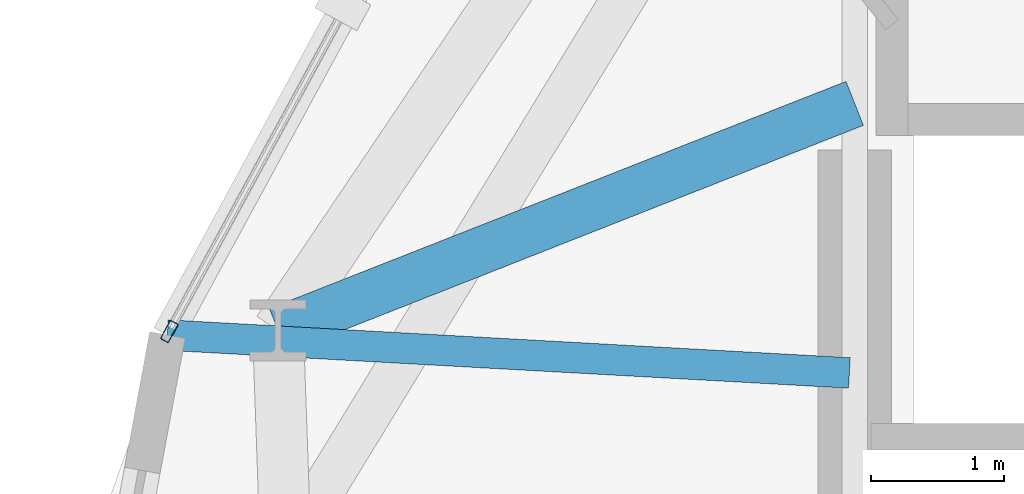
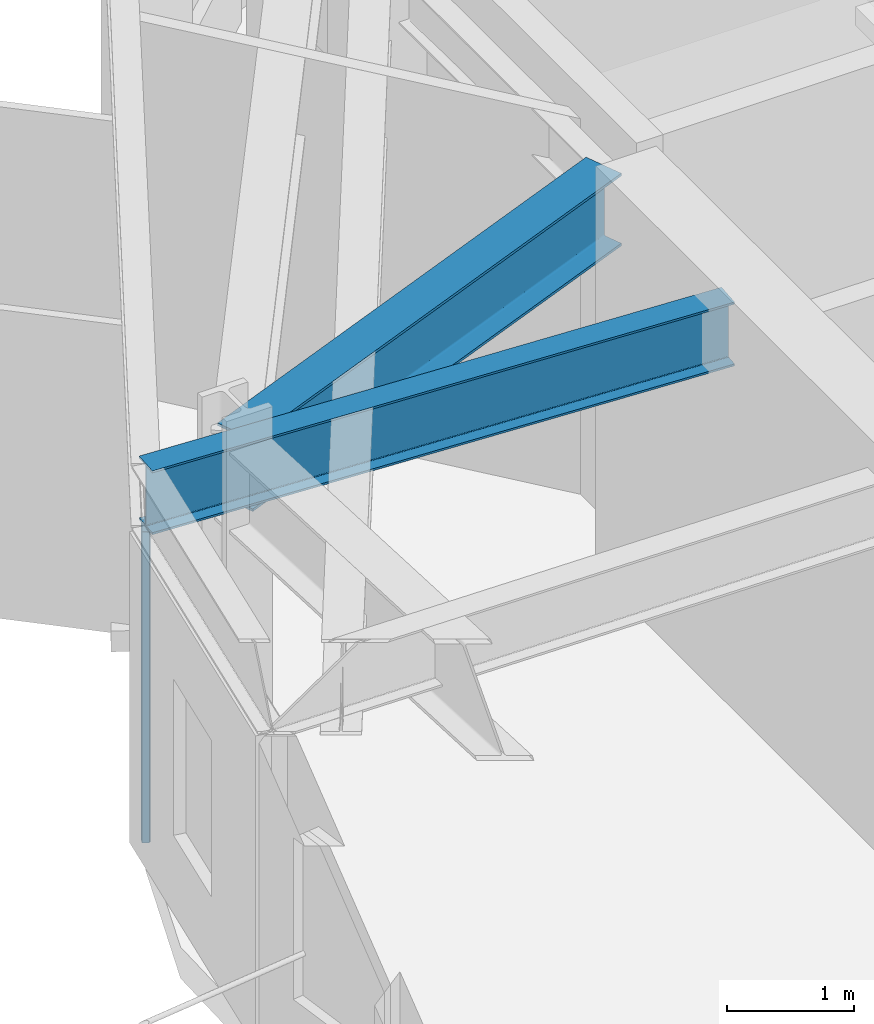
# One storey, part 8 of 25: 2 beams, 1 member, 1 element without a shape of its own.
"""IFC4 building model written with IfcOpenShell, lengths in metres."""

from ifc_helpers import new_model, si_unit, direction, frame, origin, origin_2d, place, context, subcontext, project, spatial, hollow_rectangle, i_section, extrude, material, layer, layer_set, material_profile, profile_set, type_object, element, aggregate, save


model = new_model("IFC4")

# Units and contexts
model_context = context("Model", 3, precision=1e-05, world=origin(), true_north=direction((0.0, 1.0)))
body_context = subcontext(model_context, "Body", "Model", "MODEL_VIEW")
ifc_project = project(units=[si_unit("LENGTHUNIT", "METRE"), si_unit("AREAUNIT", "SQUARE_METRE"), si_unit("VOLUMEUNIT", "CUBIC_METRE"), si_unit("PLANEANGLEUNIT", "RADIAN"), si_unit("MASSUNIT", "GRAM", prefix="KILO")], contexts=[model_context])

# Site, building, storey
site_placement = place(None, origin())
site = spatial("IfcSite", under=ifc_project, at=site_placement, CompositionType="ELEMENT")
building_placement = place(site_placement, origin())
building = spatial("IfcBuilding", under=site, at=building_placement, Name="Soratama Intermodal Tower", CompositionType="ELEMENT")
storey_placement = place(building_placement, frame((0.0, 0.0, 126.39990234375)))
storey = spatial("IfcBuildingStorey", under=building, at=storey_placement, Name="L30", CompositionType="ELEMENT", Elevation=126.39990234375)

# Beams
ifc_material_1 = material(Name="Structural steel ASTM A992 Grade 50", Category="steel")
ifc_material_profile_1 = material_profile(ifc_material_1, i_section(OverallWidth=0.35498046875, OverallDepth=0.695068359375, WebThickness=0.015380859375, FlangeThickness=0.02490234375, FilletRadius=0.01611328125, at=origin_2d()), Name="W27X146")
ifc_profile_set_1 = profile_set([ifc_material_profile_1], Name="Structural steel ASTM A992 Grade 50")
beam_type_1 = type_object("IfcBeamType", Name="BM-RING-W27X146", PredefinedType="BEAM", material=ifc_profile_set_1)
beam_1_placement = place(storey_placement, frame((32.60009765625, 31.5, 3.252685546875), z_axis=(-0.930419244357, -0.366496970971, 0.0), x_axis=(0.366496970971, -0.930419244357, 0.0)))
element("IfcBeam", 1, at=beam_1_placement, inside=storey, type_object=beam_type_1, Name="BM-L30-RAD-05", PredefinedType="BEAM", context=body_context, shape_type="SweptSolid", body=[
    extrude(i_section(OverallWidth=0.35498046875, OverallDepth=0.695068359375, WebThickness=0.015380859375, FlangeThickness=0.02490234375, FilletRadius=0.01611328125, at=origin_2d()), origin(), (0.0, 0.0, 1.0), 4.649658203125),
])
ifc_material_2 = material(Name="Structural steel ASTM A992 Grade 50", Category="steel")
ifc_material_profile_2 = material_profile(ifc_material_2, i_section(OverallWidth=0.22900390625, OverallDepth=0.612060546875, WebThickness=0.011962890625, FlangeThickness=0.01953125, FilletRadius=0.012939453125, at=origin_2d()), Name="W24X84")
ifc_profile_set_2 = profile_set([ifc_material_profile_2], Name="Structural steel ASTM A992 Grade 50")
beam_type_2 = type_object("IfcBeamType", Name="BM-TIE-W24X84", PredefinedType="BEAM", material=ifc_profile_set_2)
beam_2_placement = place(storey_placement, frame((32.56005859375, 29.47802734375, 3.294189453125), z_axis=(-0.99846343046, 0.055414601271, 0.0), x_axis=(-0.055414601271, -0.99846343046, 0.0)))
element("IfcBeam", 2, at=beam_2_placement, inside=storey, type_object=beam_type_2, Name="BM-L30-TIE1-04", PredefinedType="BEAM", context=body_context, shape_type="SweptSolid", body=[
    extrude(i_section(OverallWidth=0.22900390625, OverallDepth=0.612060546875, WebThickness=0.011962890625, FlangeThickness=0.01953125, FilletRadius=0.012939453125, at=origin_2d()), origin(), (0.0, 0.0, 1.0), 5.123779296875),
])

# Curtain wall, member
ifc_material_3 = material(Name="Double-glazed aluminium curtain wall", Category="aluminium")
ifc_layer = layer(ifc_material_3, 0.159912109375)
ifc_layer_set = layer_set([ifc_layer], Name="Double-glazed aluminium curtain wall")
curtain_wall_type = type_object("IfcCurtainWallType", Name="CW-SYS-3", PredefinedType="NOTDEFINED", material=ifc_layer_set)
curtain_wall_placement = place(storey_placement, origin())
curtain_wall = element("IfcCurtainWall", 3, at=curtain_wall_placement, inside=storey, type_object=curtain_wall_type, Name="L30 Faceted Curtain Wall F04", PredefinedType="NOTDEFINED")
ifc_material_4 = material(Name="Anodised aluminium AA 6063-T6", Category="aluminium")
ifc_material_profile_3 = material_profile(ifc_material_4, hollow_rectangle(XDim=0.070068359375, YDim=0.159912109375, WallThickness=0.0048828125, InnerFilletRadius=0.0048828125, OuterFilletRadius=0.010009765625, at=origin_2d()), Name="CWM160X70X5")
ifc_profile_set_3 = profile_set([ifc_material_profile_3], Name="Anodised aluminium AA 6063-T6")
member_type = type_object("IfcMemberType", Name="MT-CWM-3", PredefinedType="MULLION", material=ifc_profile_set_3)
member_placement = place(storey_placement, frame((27.458251953125, 29.78857421875, 0.0), z_axis=(0.0, 0.0, 1.0), x_axis=(0.878816132922, -0.477160564712, 0.0)))
member = element("IfcMember", 4, at=member_placement, type_object=member_type, Name="CW-3 mullion 2", PredefinedType="MULLION", context=body_context, shape_type="SweptSolid", body=[
    extrude(hollow_rectangle(XDim=0.070068359375, YDim=0.159912109375, WallThickness=0.0048828125, InnerFilletRadius=0.0048828125, OuterFilletRadius=0.010009765625, at=origin_2d()), origin(), (0.0, 0.0, 1.0), 2.97900390625),
])
aggregate(curtain_wall, [member])

save(model, "model.ifc")
